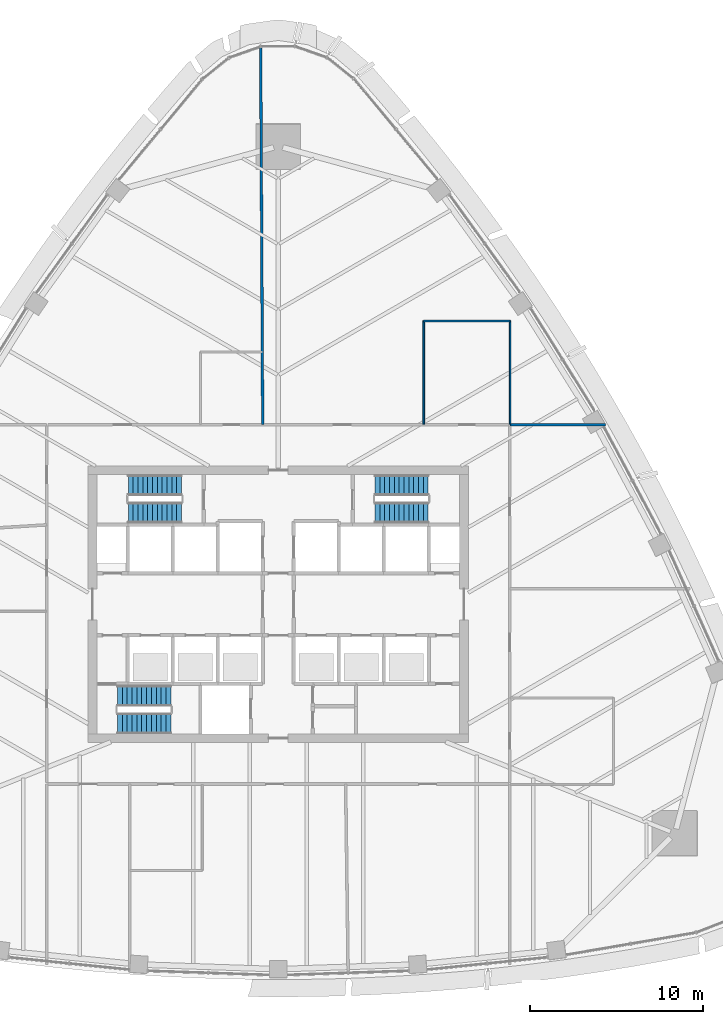
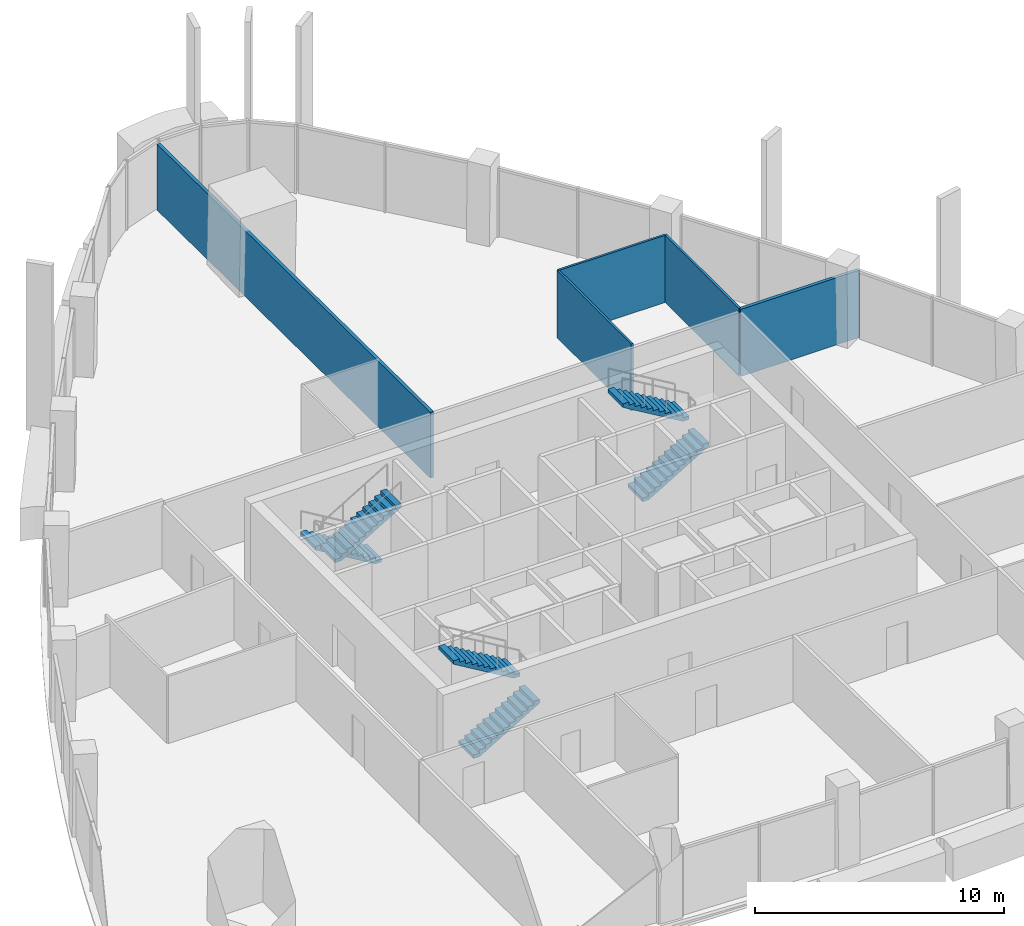
# One storey, part 12 of 17: 6 stair flights, 5 walls, 3 elements without a shape of their own.
"""IFC4 building model written with IfcOpenShell, lengths in metres."""

import ifcopenshell
import ifcopenshell.guid

model = None  # the IFC model being written
_history = None  # IfcOwnerHistory: only IFC2X3 demands one
_inside = {}  # id of a spatial element -> (the spatial element, [elements in it])
_under = {}  # id of a project, library or spatial element -> (it, [spatial elements below it])
_declared = {}  # id of a project -> (the project, [libraries it declares])
_typed = {}  # id of a type object -> (the type object, [elements of that type])
_made_of = {}  # id of a material, layer set ... -> (it, [elements and type objects made of it])


def new_model(schema):
    """Start an empty IFC model of exactly this schema.

    Asked for "IFC4X3", IfcOpenShell would pick the latest addendum, in which some entities
    have other attributes; the version numbers below select the first issue.
    IFC2X3 requires an IfcOwnerHistory on every rooted entity: one is made here for all.
    """
    global model, _history
    if schema == "IFC4X3":
        model = ifcopenshell.file(schema_version=(4, 3, 0, 0))
    else:
        model = ifcopenshell.file(schema=schema)
    _inside.clear()
    _under.clear()
    _declared.clear()
    _typed.clear()
    _made_of.clear()
    _history = None
    if model.schema == "IFC2X3":
        org = make("IfcOrganization", Name="unknown")
        user = make(
            "IfcPersonAndOrganization",
            ThePerson=make("IfcPerson", FamilyName="unknown"),
            TheOrganization=org,
        )
        app = make(
            "IfcApplication",
            ApplicationDeveloper=org,
            Version="unknown",
            ApplicationFullName="unknown",
            ApplicationIdentifier="unknown",
        )
        _history = make(
            "IfcOwnerHistory",
            OwningUser=user,
            OwningApplication=app,
            ChangeAction="ADDED",
            CreationDate=0,
        )
    return model


def make(cls, **values):
    """One entity of the class cls with the attributes given. An attribute that is None is left unset."""
    return model.create_entity(
        cls, **{name: value for name, value in values.items() if value is not None}
    )


def rooted(cls, **values):
    """An entity with a GlobalId (a new one), such as an element, a storey or a relation."""
    return make(cls, GlobalId=ifcopenshell.guid.new(), OwnerHistory=_history, **values)


def si_unit(unit_type, name, prefix=None):
    """IfcSIUnit, for example si_unit("LENGTHUNIT", "METRE", prefix="MILLI")."""
    return make("IfcSIUnit", UnitType=unit_type, Prefix=prefix, Name=name)


def assignment(units):
    """IfcUnitAssignment: the units of a project."""
    return None if units is None else make("IfcUnitAssignment", Units=units)


def point(xyz):
    """IfcCartesianPoint."""
    return None if xyz is None else make("IfcCartesianPoint", Coordinates=xyz)


def direction(xyz):
    """IfcDirection."""
    return None if xyz is None else make("IfcDirection", DirectionRatios=xyz)


def frame(location, z_axis=None, x_axis=None):
    """IfcAxis2Placement3D, a coordinate frame: its origin and axes. An axis left out is left unset."""
    return make(
        "IfcAxis2Placement3D",
        Location=point(location),
        Axis=direction(z_axis),
        RefDirection=direction(x_axis),
    )


def frame_2d(location, x_axis=None):
    """IfcAxis2Placement2D, a coordinate frame in the plane: its origin and x axis."""
    return make(
        "IfcAxis2Placement2D", Location=point(location), RefDirection=direction(x_axis)
    )


def origin():
    """The frame at (0, 0, 0) with its axes left unset."""
    return frame((0.0, 0.0, 0.0))


def place(relative_to, where):
    """IfcLocalPlacement: puts the frame where relative to a parent placement (None: the world)."""
    return make(
        "IfcLocalPlacement", PlacementRelTo=relative_to, RelativePlacement=where
    )


def context(
    kind, dimensions, precision=None, world=None, true_north=None, identifier=None
):
    """IfcGeometricRepresentationContext, for example the 3D "Model" context."""
    return make(
        "IfcGeometricRepresentationContext",
        ContextIdentifier=identifier,
        ContextType=kind,
        CoordinateSpaceDimension=dimensions,
        Precision=precision,
        WorldCoordinateSystem=world,
        TrueNorth=true_north,
    )


def subcontext(parent, identifier, kind, view, scale=None):
    """IfcGeometricRepresentationSubContext, for example "Body" below "Model"."""
    return make(
        "IfcGeometricRepresentationSubContext",
        ContextIdentifier=identifier,
        ContextType=kind,
        ParentContext=parent,
        TargetScale=scale,
        TargetView=view,
    )


def project(units=None, contexts=None):
    """IfcProject with its units and contexts."""
    return rooted(
        "IfcProject",
        Name="project",
        RepresentationContexts=contexts,
        UnitsInContext=assignment(units),
    )


def spatial(cls, under=None, at=None, **own):
    """A site, building, storey or space (cls), placed at a placement, below another one or the project."""
    s = rooted(cls, ObjectPlacement=at, **own)
    if under is not None:
        _under.setdefault(under.id(), (under, []))[1].append(s)
    return s


def polyline(points):
    """IfcPolyline through the points."""
    return make("IfcPolyline", Points=[point(p) for p in points])


def profile(cls, at=None, kind="AREA", **sizes):
    """A parametric profile (cls). Its sizes go by their IFC names, for example OverallWidth=200.0."""
    return make(cls, ProfileType=kind, Position=at, **sizes)


def rectangle(**sizes):
    """IfcRectangleProfileDef."""
    return profile("IfcRectangleProfileDef", **sizes)


def outline(outer, holes=None, kind="AREA"):
    """IfcArbitraryClosedProfileDef: a profile drawn as a closed curve; with holes, ...WithVoids."""
    if holes is None:
        return make("IfcArbitraryClosedProfileDef", ProfileType=kind, OuterCurve=outer)
    return make(
        "IfcArbitraryProfileDefWithVoids",
        ProfileType=kind,
        OuterCurve=outer,
        InnerCurves=holes,
    )


def extrude(swept, where, along, depth):
    """IfcExtrudedAreaSolid: the profile swept, set in the frame where, extruded along a direction by depth."""
    return make(
        "IfcExtrudedAreaSolid",
        SweptArea=swept,
        Position=where,
        ExtrudedDirection=direction(along),
        Depth=depth,
    )


def shape(context_of_items, identifier, shape_type, items):
    """IfcShapeRepresentation: the items that make up one representation, for example the "Body"."""
    return make(
        "IfcShapeRepresentation",
        ContextOfItems=context_of_items,
        RepresentationIdentifier=identifier,
        RepresentationType=shape_type,
        Items=items,
    )


def material(Name=None, Category=None):
    """IfcMaterial."""
    return make("IfcMaterial", Name=Name, Category=Category)


def layer(
    of_material, thickness, ventilated=None, Name=None, Category=None, Priority=None
):
    """IfcMaterialLayer: one layer of a wall or slab, of a material (None: an air gap)."""
    return make(
        "IfcMaterialLayer",
        Material=of_material,
        LayerThickness=thickness,
        IsVentilated=ventilated,
        Name=Name,
        Category=Category,
        Priority=Priority,
    )


def layer_set(layers, Name=None):
    """IfcMaterialLayerSet."""
    return make("IfcMaterialLayerSet", MaterialLayers=layers, LayerSetName=Name)


def made_of(thing, what):
    """Note that an element or type object is made of a material, layer set ...; save() writes the relation."""
    if what is not None:
        _made_of.setdefault(what.id(), (what, []))[1].append(thing)
    return thing


def type_object(cls, material=None, **own):
    """A type object (cls), such as IfcWallType, which elements share."""
    return made_of(rooted(cls, **own), material)


def element(
    cls,
    number,
    at=None,
    inside=None,
    cuts=None,
    type_object=None,
    material=None,
    context=None,
    identifier="Body",
    shape_type=None,
    held_by="IfcProductDefinitionShape",
    body=None,
    shapes=None,
    **own,
):
    """One element of the class cls, such as IfcWall. Its Tag is "e" and its number.

    at: its placement. inside: the storey or other place that contains it. cuts: it is an
    opening in that element (IfcRelVoidsElement). A single representation is given by context,
    identifier, shape_type and body (its items); several are given by shapes. held_by: the class
    of the entity that holds the representations. save() writes the other relations.
    """
    e = rooted(cls, Tag="e%d" % number, ObjectPlacement=at, **own)
    if body is not None:
        shapes = [shape(context, identifier, shape_type, body)]
    if shapes is not None:
        e.Representation = make(held_by, Representations=shapes)
    if inside is not None:
        _inside.setdefault(inside.id(), (inside, []))[1].append(e)
    if cuts is not None:
        rooted(
            "IfcRelVoidsElement", RelatingBuildingElement=cuts, RelatedOpeningElement=e
        )
    if type_object is not None:
        _typed.setdefault(type_object.id(), (type_object, []))[1].append(e)
    return made_of(e, material)


def aggregate(whole, parts):
    """IfcRelAggregates: a whole, such as a stair, and the parts it consists of."""
    return rooted("IfcRelAggregates", RelatingObject=whole, RelatedObjects=parts)


def save(model, path):
    """Write the relations noted so far, then the file.

    IfcRelAggregates (storeys below a building ...), IfcRelContainedInSpatialStructure (elements
    in a storey), IfcRelDefinesByType, IfcRelAssociatesMaterial and IfcRelDeclares: one each for
    every whole, place, type object, material and project.
    """
    for whole, parts in _under.values():
        aggregate(whole, parts)
    for where, things in _inside.values():
        rooted(
            "IfcRelContainedInSpatialStructure",
            RelatedElements=things,
            RelatingStructure=where,
        )
    for kind, things in _typed.values():
        rooted("IfcRelDefinesByType", RelatedObjects=things, RelatingType=kind)
    for what, things in _made_of.values():
        rooted("IfcRelAssociatesMaterial", RelatedObjects=things, RelatingMaterial=what)
    for by, libraries in _declared.values():
        rooted("IfcRelDeclares", RelatingContext=by, RelatedDefinitions=libraries)
    model.write(path)


model = new_model("IFC4")

# Units and contexts
model_context = context("Model", 3, precision=1e-05, world=origin(), true_north=direction((0.0, 1.0)))
body_context = subcontext(model_context, "Body", "Model", "MODEL_VIEW")
ifc_project = project(units=[si_unit("LENGTHUNIT", "METRE"), si_unit("AREAUNIT", "SQUARE_METRE"), si_unit("VOLUMEUNIT", "CUBIC_METRE"), si_unit("PLANEANGLEUNIT", "RADIAN"), si_unit("MASSUNIT", "GRAM", prefix="KILO")], contexts=[model_context])

# Site, building, storey
site_placement = place(None, origin())
site = spatial("IfcSite", under=ifc_project, at=site_placement, CompositionType="ELEMENT")
building_placement = place(site_placement, origin())
building = spatial("IfcBuilding", under=site, at=building_placement, Name="Sierra Prisma Convention Tower", CompositionType="ELEMENT")
storey_placement = place(building_placement, frame((0.0, 0.0, 201.800048828125)))
storey = spatial("IfcBuildingStorey", under=building, at=storey_placement, Name="L45", CompositionType="ELEMENT", Elevation=201.800048828125)

# Walls
ifc_material_1 = material(Name="Gypsum board partition", Category="gypsum")
ifc_layer_1 = layer(ifc_material_1, 0.10009765625)
ifc_layer_set_1 = layer_set([ifc_layer_1], Name="Bathroom partition 100")
wall_type_1 = type_object("IfcWallType", Name="Bathroom partition 100", PredefinedType="PARTITIONING", material=ifc_layer_set_1)
wall_1_placement = place(storey_placement, frame((8.419921875, 10.429931640625, 0.0), z_axis=(0.0, 0.0, 1.0), x_axis=(0.0, 1.0, 0.0)))
element("IfcWall", 1, at=wall_1_placement, inside=storey, type_object=wall_type_1, Name="Partition L45 bath 7", PredefinedType="PARTITIONING", context=body_context, shape_type="SweptSolid", body=[
    extrude(rectangle(XDim=5.969970703125, YDim=0.10009765625, at=frame_2d((2.98486328125, 0.0))), origin(), (0.0, 0.0, 1.0), 3.300048828125),
])
wall_2_placement = place(storey_placement, frame((8.419921875, 16.39990234375, 0.0), z_axis=(0.0, 0.0, 1.0), x_axis=(1.0, 0.0, 0.0)))
element("IfcWall", 2, at=wall_2_placement, inside=storey, type_object=wall_type_1, Name="Partition L45 bath 8", PredefinedType="PARTITIONING", context=body_context, shape_type="SweptSolid", body=[
    extrude(rectangle(XDim=5.0, YDim=0.10009765625, at=frame_2d((2.5, 0.0))), origin(), (0.0, 0.0, 1.0), 3.300048828125),
])
wall_3_placement = place(storey_placement, frame((13.419921875, 16.39990234375, 0.0), z_axis=(0.0, 0.0, 1.0), x_axis=(0.0, -1.0, 0.0)))
element("IfcWall", 3, at=wall_3_placement, inside=storey, type_object=wall_type_1, Name="Partition L45 bath 9", PredefinedType="PARTITIONING", context=body_context, shape_type="SweptSolid", body=[
    extrude(rectangle(XDim=5.969970703125, YDim=0.10009765625, at=frame_2d((2.98486328125, 0.0))), origin(), (0.0, 0.0, 1.0), 3.300048828125),
])
ifc_material_2 = material(Name="Gypsum board partition", Category="gypsum")
ifc_layer_2 = layer(ifc_material_2, 0.14990234375)
ifc_layer_set_2 = layer_set([ifc_layer_2], Name="Party wall 150 gypsum")
wall_type_2 = type_object("IfcWallType", Name="Party wall 150 gypsum", PredefinedType="PARTITIONING", material=ifc_layer_set_2)
wall_4_placement = place(storey_placement, frame((-0.89990234375, 10.39990234375, 0.0), z_axis=(0.0, 0.0, 1.0), x_axis=(-0.005412837739, 0.999985350487, 0.0)))
element("IfcWall", 4, at=wall_4_placement, inside=storey, type_object=wall_type_2, Name="Partition L45 party 5", PredefinedType="PARTITIONING", context=body_context, shape_type="SweptSolid", body=[
    extrude(rectangle(XDim=21.78515625, YDim=0.14990234375, at=frame_2d((10.892578125, 0.0))), origin(), (0.0, 0.0, 1.0), 3.23388671875),
])
wall_5_placement = place(storey_placement, frame((13.39990234375, 10.39990234375, 0.0), z_axis=(0.0, 0.0, 1.0), x_axis=(1.0, 0.0, 0.0)))
element("IfcWall", 5, at=wall_5_placement, inside=storey, type_object=wall_type_2, Name="Partition L45 party 9", PredefinedType="PARTITIONING", context=body_context, shape_type="SweptSolid", body=[
    extrude(rectangle(XDim=5.529296875, YDim=0.14990234375, at=frame_2d((2.7646484375, 0.0))), origin(), (0.0, 0.0, 1.0), 3.300048828125),
])

# Stair, stair flights
ifc_material_3 = material(Name="Concrete C30/37", Category="concrete")
stair_type = type_object("IfcStairType", Name="Stair dog-leg 1200 RC", PredefinedType="HALF_TURN_STAIR", material=ifc_material_3)
stair_1_placement = place(storey_placement, origin())
stair_1 = element("IfcStair", 6, at=stair_1_placement, inside=storey, type_object=stair_type, Name="L45 S1", PredefinedType="HALF_TURN_STAIR")
ifc_material_4 = material(Name="Concrete C30/37", Category="concrete")
stair_flight_type = type_object("IfcStairFlightType", Name="Stair flight RC 1200", PredefinedType="STRAIGHT", material=ifc_material_4)
stair_flight_1_placement = place(storey_placement, frame((-9.300048828125, -6.89990234375, 0.0), z_axis=(0.0, 0.0, 1.0), x_axis=(1.0, 0.0, 0.0)))
stair_flight_1 = element("IfcStairFlight", 7, at=stair_flight_1_placement, type_object=stair_flight_type, Name="S1 flight 1", NumberOfRisers=12, NumberOfTreads=11, PredefinedType="STRAIGHT", RiserHeight=0.166666667, TreadLength=0.28, context=body_context, shape_type="SweptSolid", body=[
    extrude(outline(polyline([(0.0, 0.0), (0.0, 0.166748046875), (0.280029296875, 0.166748046875), (0.280029296875, 0.333251953125), (0.56005859375, 0.333251953125), (0.56005859375, 0.5), (0.840087890625, 0.5), (0.840087890625, 0.666748046875), (1.1201171875, 0.666748046875), (1.1201171875, 0.833251953125), (1.39990234375, 0.833251953125), (1.39990234375, 1.0), (1.679931640625, 1.0), (1.679931640625, 1.166748046875), (1.9599609375, 1.166748046875), (1.9599609375, 1.333251953125), (2.239990234375, 1.333251953125), (2.239990234375, 1.5), (2.52001953125, 1.5), (2.52001953125, 1.666748046875), (2.800048828125, 1.666748046875), (2.800048828125, 1.833251953125), (3.080078125, 1.833251953125), (3.080078125, 2.0), (3.080078125, 1.658935546875), (0.29296875, 0.0), (0.0, 0.0)])), frame((0.0, 0.60009765625, 0.0), z_axis=(0.0, -1.0, 0.0), x_axis=(1.0, 0.0, 0.0)), (0.0, 0.0, 1.0), 1.199951171875),
])
stair_flight_2_placement = place(storey_placement, frame((-6.219970703125, -5.300048828125, 2.0), z_axis=(0.0, 0.0, 1.0), x_axis=(-1.0, 0.0, 0.0)))
stair_flight_2 = element("IfcStairFlight", 8, at=stair_flight_2_placement, type_object=stair_flight_type, Name="S1 flight 2", NumberOfRisers=12, NumberOfTreads=11, PredefinedType="STRAIGHT", RiserHeight=0.166666667, TreadLength=0.28, context=body_context, shape_type="SweptSolid", body=[
    extrude(outline(polyline([(0.0, 0.0), (0.0, 0.166748046875), (0.280029296875, 0.166748046875), (0.280029296875, 0.333251953125), (0.56005859375, 0.333251953125), (0.56005859375, 0.5), (0.840087890625, 0.5), (0.840087890625, 0.666748046875), (1.1201171875, 0.666748046875), (1.1201171875, 0.833251953125), (1.39990234375, 0.833251953125), (1.39990234375, 1.0), (1.679931640625, 1.0), (1.679931640625, 1.166748046875), (1.9599609375, 1.166748046875), (1.9599609375, 1.333251953125), (2.239990234375, 1.333251953125), (2.239990234375, 1.5), (2.52001953125, 1.5), (2.52001953125, 1.666748046875), (2.800048828125, 1.666748046875), (2.800048828125, 1.833251953125), (3.080078125, 1.833251953125), (3.080078125, 2.0), (3.080078125, 1.658935546875), (0.29296875, 0.0), (0.0, 0.0)])), frame((0.0, 0.60009765625, 0.0), z_axis=(0.0, -1.0, 0.0), x_axis=(1.0, 0.0, 0.0)), (0.0, 0.0, 1.0), 1.199951171875),
])
aggregate(stair_1, [stair_flight_1, stair_flight_2])

stair_2_placement = place(storey_placement, origin())
stair_2 = element("IfcStair", 9, at=stair_2_placement, inside=storey, type_object=stair_type, Name="L45 S3", PredefinedType="HALF_TURN_STAIR")
stair_flight_3_placement = place(storey_placement, frame((-5.60009765625, 6.89990234375, 0.0), z_axis=(0.0, 0.0, 1.0), x_axis=(-1.0, 0.0, 0.0)))
stair_flight_3 = element("IfcStairFlight", 10, at=stair_flight_3_placement, type_object=stair_flight_type, Name="S3 flight 1", NumberOfRisers=12, NumberOfTreads=11, PredefinedType="STRAIGHT", RiserHeight=0.166666667, TreadLength=0.28, context=body_context, shape_type="SweptSolid", body=[
    extrude(outline(polyline([(0.0, 0.0), (0.0, 0.166748046875), (0.280029296875, 0.166748046875), (0.280029296875, 0.333251953125), (0.56005859375, 0.333251953125), (0.56005859375, 0.5), (0.840087890625, 0.5), (0.840087890625, 0.666748046875), (1.1201171875, 0.666748046875), (1.1201171875, 0.833251953125), (1.39990234375, 0.833251953125), (1.39990234375, 1.0), (1.679931640625, 1.0), (1.679931640625, 1.166748046875), (1.9599609375, 1.166748046875), (1.9599609375, 1.333251953125), (2.239990234375, 1.333251953125), (2.239990234375, 1.5), (2.52001953125, 1.5), (2.52001953125, 1.666748046875), (2.800048828125, 1.666748046875), (2.800048828125, 1.833251953125), (3.080078125, 1.833251953125), (3.080078125, 2.0), (3.080078125, 1.658935546875), (0.29296875, 0.0), (0.0, 0.0)])), frame((0.0, 0.60009765625, 0.0), z_axis=(0.0, -1.0, 0.0), x_axis=(1.0, 0.0, 0.0)), (0.0, 0.0, 1.0), 1.199951171875),
])
stair_flight_4_placement = place(storey_placement, frame((-8.679931640625, 5.300048828125, 2.0), z_axis=(0.0, 0.0, 1.0), x_axis=(1.0, 0.0, 0.0)))
stair_flight_4 = element("IfcStairFlight", 11, at=stair_flight_4_placement, type_object=stair_flight_type, Name="S3 flight 2", NumberOfRisers=12, NumberOfTreads=11, PredefinedType="STRAIGHT", RiserHeight=0.166666667, TreadLength=0.28, context=body_context, shape_type="SweptSolid", body=[
    extrude(outline(polyline([(0.0, 0.0), (0.0, 0.166748046875), (0.280029296875, 0.166748046875), (0.280029296875, 0.333251953125), (0.56005859375, 0.333251953125), (0.56005859375, 0.5), (0.840087890625, 0.5), (0.840087890625, 0.666748046875), (1.1201171875, 0.666748046875), (1.1201171875, 0.833251953125), (1.39990234375, 0.833251953125), (1.39990234375, 1.0), (1.679931640625, 1.0), (1.679931640625, 1.166748046875), (1.9599609375, 1.166748046875), (1.9599609375, 1.333251953125), (2.239990234375, 1.333251953125), (2.239990234375, 1.5), (2.52001953125, 1.5), (2.52001953125, 1.666748046875), (2.800048828125, 1.666748046875), (2.800048828125, 1.833251953125), (3.080078125, 1.833251953125), (3.080078125, 2.0), (3.080078125, 1.658935546875), (0.29296875, 0.0), (0.0, 0.0)])), frame((0.0, 0.60009765625, 0.0), z_axis=(0.0, -1.0, 0.0), x_axis=(1.0, 0.0, 0.0)), (0.0, 0.0, 1.0), 1.199951171875),
])
aggregate(stair_2, [stair_flight_3, stair_flight_4])

stair_3_placement = place(storey_placement, origin())
stair_3 = element("IfcStair", 12, at=stair_3_placement, inside=storey, type_object=stair_type, Name="L45 S4", PredefinedType="HALF_TURN_STAIR")
stair_flight_5_placement = place(storey_placement, frame((5.60009765625, 5.300048828125, 0.0), z_axis=(0.0, 0.0, 1.0), x_axis=(1.0, 0.0, 0.0)))
stair_flight_5 = element("IfcStairFlight", 13, at=stair_flight_5_placement, type_object=stair_flight_type, Name="S4 flight 1", NumberOfRisers=12, NumberOfTreads=11, PredefinedType="STRAIGHT", RiserHeight=0.166666667, TreadLength=0.28, context=body_context, shape_type="SweptSolid", body=[
    extrude(outline(polyline([(0.0, 0.0), (0.0, 0.166748046875), (0.280029296875, 0.166748046875), (0.280029296875, 0.333251953125), (0.56005859375, 0.333251953125), (0.56005859375, 0.5), (0.840087890625, 0.5), (0.840087890625, 0.666748046875), (1.1201171875, 0.666748046875), (1.1201171875, 0.833251953125), (1.39990234375, 0.833251953125), (1.39990234375, 1.0), (1.679931640625, 1.0), (1.679931640625, 1.166748046875), (1.9599609375, 1.166748046875), (1.9599609375, 1.333251953125), (2.239990234375, 1.333251953125), (2.239990234375, 1.5), (2.52001953125, 1.5), (2.52001953125, 1.666748046875), (2.800048828125, 1.666748046875), (2.800048828125, 1.833251953125), (3.080078125, 1.833251953125), (3.080078125, 2.0), (3.080078125, 1.658935546875), (0.29296875, 0.0), (0.0, 0.0)])), frame((0.0, 0.60009765625, 0.0), z_axis=(0.0, -1.0, 0.0), x_axis=(1.0, 0.0, 0.0)), (0.0, 0.0, 1.0), 1.199951171875),
])
stair_flight_6_placement = place(storey_placement, frame((8.679931640625, 6.89990234375, 2.0), z_axis=(0.0, 0.0, 1.0), x_axis=(-1.0, 0.0, 0.0)))
stair_flight_6 = element("IfcStairFlight", 14, at=stair_flight_6_placement, type_object=stair_flight_type, Name="S4 flight 2", NumberOfRisers=12, NumberOfTreads=11, PredefinedType="STRAIGHT", RiserHeight=0.166666667, TreadLength=0.28, context=body_context, shape_type="SweptSolid", body=[
    extrude(outline(polyline([(0.0, 0.0), (0.0, 0.166748046875), (0.280029296875, 0.166748046875), (0.280029296875, 0.333251953125), (0.56005859375, 0.333251953125), (0.56005859375, 0.5), (0.840087890625, 0.5), (0.840087890625, 0.666748046875), (1.1201171875, 0.666748046875), (1.1201171875, 0.833251953125), (1.39990234375, 0.833251953125), (1.39990234375, 1.0), (1.679931640625, 1.0), (1.679931640625, 1.166748046875), (1.9599609375, 1.166748046875), (1.9599609375, 1.333251953125), (2.239990234375, 1.333251953125), (2.239990234375, 1.5), (2.52001953125, 1.5), (2.52001953125, 1.666748046875), (2.800048828125, 1.666748046875), (2.800048828125, 1.833251953125), (3.080078125, 1.833251953125), (3.080078125, 2.0), (3.080078125, 1.658935546875), (0.29296875, 0.0), (0.0, 0.0)])), frame((0.0, 0.60009765625, 0.0), z_axis=(0.0, -1.0, 0.0), x_axis=(1.0, 0.0, 0.0)), (0.0, 0.0, 1.0), 1.199951171875),
])
aggregate(stair_3, [stair_flight_5, stair_flight_6])

save(model, "model.ifc")
